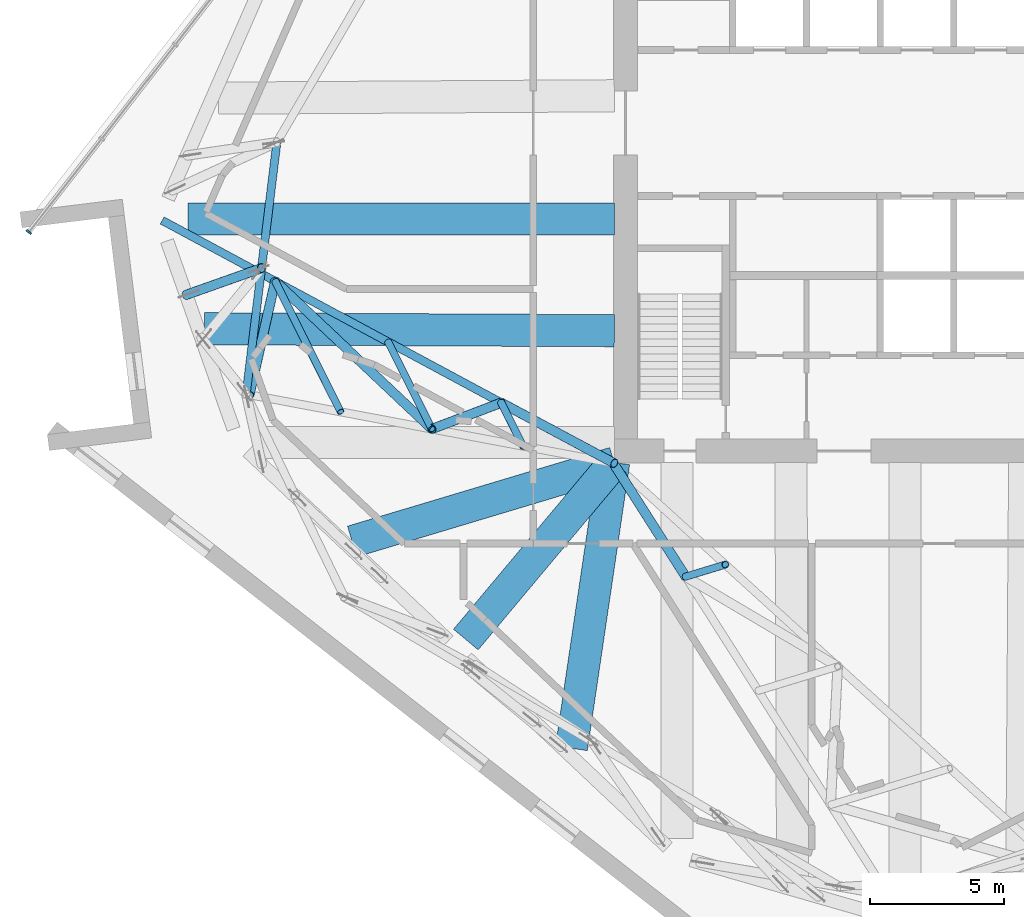
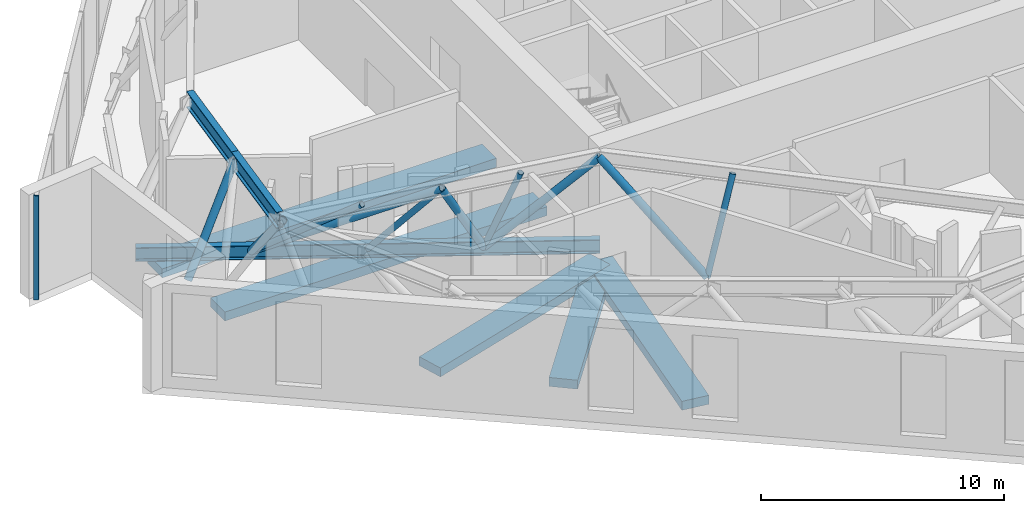
# One storey, part 2 of 23: 11 members, 8 beams, 1 element without a shape of its own.
"""IFC4 building model written with IfcOpenShell, lengths in metres."""

from ifc_helpers import new_model, si_unit, direction, frame, origin, origin_2d, place, context, subcontext, project, spatial, rectangle, hollow_circle, i_section, extrude, material, material_profile, profile_set, type_object, element, aggregate, save


model = new_model("IFC4")

# Units and contexts
model_context = context("Model", 3, precision=1e-05, world=origin(), true_north=direction((0.0, 1.0)))
body_context = subcontext(model_context, "Body", "Model", "MODEL_VIEW")
ifc_project = project(units=[si_unit("LENGTHUNIT", "METRE"), si_unit("AREAUNIT", "SQUARE_METRE"), si_unit("VOLUMEUNIT", "CUBIC_METRE"), si_unit("PLANEANGLEUNIT", "RADIAN"), si_unit("MASSUNIT", "GRAM", prefix="KILO")], contexts=[model_context])

# Site, building, storey
site_placement = place(None, origin())
site = spatial("IfcSite", under=ifc_project, at=site_placement, CompositionType="ELEMENT")
building_placement = place(site_placement, origin())
building = spatial("IfcBuilding", under=site, at=building_placement, Name="Dilmun Exchange Tower", CompositionType="ELEMENT")
storey_placement = place(building_placement, frame((0.0, 0.0, 237.300048828125)))
storey = spatial("IfcBuildingStorey", under=building, at=storey_placement, Name="L56", CompositionType="ELEMENT", Elevation=237.300048828125)

# Beams
ifc_material_1 = material(Name="Concrete C40/50", Category="concrete")
ifc_material_profile_1 = material_profile(ifc_material_1, rectangle(XDim=1.199951171875, YDim=0.449951171875, at=origin_2d()), Name="1200 x 450")
ifc_profile_set_1 = profile_set([ifc_material_profile_1], Name="Concrete C40/50")
beam_type_1 = type_object("IfcBeamType", Name="RC band beam 1200 x 450 C40/50", PredefinedType="BEAM", material=ifc_profile_set_1)
beam_1_placement = place(storey_placement, frame((-28.586669921875, -3.58203125, -0.705078125), z_axis=(1.0, 0.0, 0.0), x_axis=(0.0, 1.0, 0.0)))
element("IfcBeam", 1, at=beam_1_placement, inside=storey, type_object=beam_type_1, Name="Band beam 5", PredefinedType="BEAM", context=body_context, shape_type="SweptSolid", body=[
    extrude(rectangle(XDim=1.199951171875, YDim=0.449951171875, at=origin_2d()), origin(), (0.0, 0.0, 1.0), 15.91357421875),
])
beam_2_placement = place(storey_placement, frame((-18.2158203125, -19.28369140625, -0.705078125), z_axis=(0.642200063897, 0.766537068856, 0.0), x_axis=(-0.766537068856, 0.642200063897, 0.0)))
element("IfcBeam", 2, at=beam_2_placement, inside=storey, type_object=beam_type_1, Name="Band beam 7", PredefinedType="BEAM", context=body_context, shape_type="SweptSolid", body=[
    extrude(rectangle(XDim=1.199951171875, YDim=0.449951171875, at=origin_2d()), origin(), (0.0, 0.0, 1.0), 8.615966796875),
])
beam_3_placement = place(storey_placement, frame((-27.972412109375, -7.68212890625, -0.60498046875), z_axis=(0.99998815601, -0.004867015408, 0.0), x_axis=(0.004867015408, 0.99998815601, 0.0)))
element("IfcBeam", 3, at=beam_3_placement, inside=storey, type_object=beam_type_1, Name="Band beam 21", PredefinedType="BEAM", context=body_context, shape_type="SweptSolid", body=[
    extrude(rectangle(XDim=1.199951171875, YDim=0.449951171875, at=origin_2d()), origin(), (0.0, 0.0, 1.0), 15.299560546875),
])
beam_4_placement = place(storey_placement, frame((-22.4599609375, -15.626708984375, -0.60498046875), z_axis=(0.957849959988, 0.287268957862, 0.0), x_axis=(-0.287268957862, 0.957849959988, 0.0)))
element("IfcBeam", 4, at=beam_4_placement, inside=storey, type_object=beam_type_1, Name="Band beam 22", PredefinedType="BEAM", context=body_context, shape_type="SweptSolid", body=[
    extrude(rectangle(XDim=1.199951171875, YDim=0.449951171875, at=origin_2d()), origin(), (0.0, 0.0, 1.0), 10.21630859375),
])
beam_5_placement = place(storey_placement, frame((-14.2734375, -23.34326171875, -0.60498046875), z_axis=(0.146268101323, 0.989244986106, 0.0), x_axis=(-0.989244986106, 0.146268101323, 0.0)))
element("IfcBeam", 5, at=beam_5_placement, inside=storey, type_object=beam_type_1, Name="Band beam 23", PredefinedType="BEAM", context=body_context, shape_type="SweptSolid", body=[
    extrude(rectangle(XDim=1.199951171875, YDim=0.449951171875, at=origin_2d()), origin(), (0.0, 0.0, 1.0), 10.785888671875),
])

# Curtain wall, member
ifc_material_2 = material(Name="Anodised aluminium and clear glass", Category="aluminium")
curtain_wall_type = type_object("IfcCurtainWallType", Name="Sky lobby glazing", PredefinedType="NOTDEFINED", material=ifc_material_2)
curtain_wall_placement = place(storey_placement, origin())
curtain_wall = element("IfcCurtainWall", 6, at=curtain_wall_placement, inside=storey, type_object=curtain_wall_type, Name="Sky lobby glazing run SL4", PredefinedType="NOTDEFINED")
ifc_material_3 = material(Name="Anodised aluminium", Category="aluminium")
ifc_material_profile_2 = material_profile(ifc_material_3, rectangle(XDim=0.219970703125, YDim=0.070068359375, at=origin_2d()), Name="AL 70x220")
ifc_profile_set_2 = profile_set([ifc_material_profile_2], Name="Anodised aluminium")
member_type_1 = type_object("IfcMemberType", Name="Sky lobby glazing mullion 70 x 220", PredefinedType="MULLION", material=ifc_profile_set_2)
member_1_placement = place(storey_placement, frame((-34.526123046875, -4.07177734375, 0.0), z_axis=(0.0, 0.0, 1.0), x_axis=(0.78801066701, -0.615661586164, 0.0)))
member_1 = element("IfcMember", 7, at=member_1_placement, type_object=member_type_1, Name="SL4 mullion 12", PredefinedType="MULLION", context=body_context, shape_type="SweptSolid", body=[
    extrude(rectangle(XDim=0.219970703125, YDim=0.070068359375, at=origin_2d()), origin(), (0.0, 0.0, 1.0), 5.239990234375),
])
aggregate(curtain_wall, [member_1])

# Beam
ifc_material_4 = material(Name="Steel S355", Category="steel")
ifc_material_profile_3 = material_profile(ifc_material_4, i_section(OverallWidth=0.300048828125, OverallDepth=0.699951171875, WebThickness=0.01708984375, FlangeThickness=0.031982421875, FilletRadius=0.027099609375, at=origin_2d()), Name="HEB 700")
ifc_profile_set_3 = profile_set([ifc_material_profile_3], Name="Steel S355")
beam_type_2 = type_object("IfcBeamType", Name="outrigger chord HEB 700", PredefinedType="BEAM", material=ifc_profile_set_3)
beam_6_placement = place(storey_placement, frame((-12.67626953125, -12.712890625, 0.349853515625), z_axis=(-0.880765537018, 0.473552604049, 0.0), x_axis=(-0.473552604049, -0.880765537018, 0.0)))
element("IfcBeam", 8, at=beam_6_placement, inside=storey, type_object=beam_type_2, Name="Outrigger bottom chord 2", PredefinedType="BEAM", context=body_context, shape_type="SweptSolid", body=[
    extrude(i_section(OverallWidth=0.300048828125, OverallDepth=0.699951171875, WebThickness=0.01708984375, FlangeThickness=0.031982421875, FilletRadius=0.027099609375, at=origin_2d()), origin(), (0.0, 0.0, 1.0), 19.158935546875),
])

# Members
ifc_material_profile_4 = material_profile(ifc_material_4, hollow_circle(Radius=0.136474609375, WallThickness=0.01611328125, at=origin_2d()), Name="CHS 273x16")
ifc_profile_set_4 = profile_set([ifc_material_profile_4], Name="Steel S355")
member_type_2 = type_object("IfcMemberType", Name="outrigger post CHS 273x16", PredefinedType="POST", material=ifc_profile_set_4)
member_2_placement = place(storey_placement, frame((-16.078369140625, -12.06494140625, 4.7900390625), z_axis=(-0.170205322717, 0.337814810667, -0.925695037155), x_axis=(-0.893050504154, -0.449956439037, 0.0)))
element("IfcMember", 9, at=member_2_placement, inside=storey, type_object=member_type_2, Name="Outrigger post 2.1", PredefinedType="POST", context=body_context, shape_type="SweptSolid", body=[
    extrude(hollow_circle(Radius=0.136474609375, WallThickness=0.01611328125, at=origin_2d()), origin(), (0.0, 0.0, 1.0), 4.796630859375),
])
member_3_placement = place(storey_placement, frame((-19.483154296875, -11.425048828125, 4.7900390625), z_axis=(-0.28408935472, 0.566136431617, -0.773810557779), x_axis=(-0.893781416636, -0.448502819696, 0.0)))
element("IfcMember", 10, at=member_3_placement, inside=storey, type_object=member_type_2, Name="Outrigger post 2.2", PredefinedType="POST", context=body_context, shape_type="SweptSolid", body=[
    extrude(hollow_circle(Radius=0.136474609375, WallThickness=0.01611328125, at=origin_2d()), origin(), (0.0, 0.0, 1.0), 5.738037109375),
])
member_4_placement = place(storey_placement, frame((-22.8876953125, -10.784912109375, 4.7900390625), z_axis=(-0.347528336912, 0.69332111481, -0.631292235658), x_axis=(-0.893979171642, -0.448108514392, 0.0)))
element("IfcMember", 11, at=member_4_placement, inside=storey, type_object=member_type_2, Name="Outrigger post 2.3", PredefinedType="POST", context=body_context, shape_type="SweptSolid", body=[
    extrude(hollow_circle(Radius=0.136474609375, WallThickness=0.01611328125, at=origin_2d()), origin(), (0.0, 0.0, 1.0), 7.033447265625),
])
member_5_placement = place(storey_placement, frame((-8.52783203125, -16.486083984375, 4.7900390625), z_axis=(-0.314898116073, -0.095793408764, -0.944278983845), x_axis=(0.291036073761, -0.95671207987, 0.0)))
element("IfcMember", 12, at=member_5_placement, inside=storey, type_object=member_type_2, Name="Outrigger post 3.1", PredefinedType="POST", context=body_context, shape_type="SweptSolid", body=[
    extrude(hollow_circle(Radius=0.136474609375, WallThickness=0.01611328125, at=origin_2d()), origin(), (0.0, 0.0, 1.0), 4.7021484375),
])

# Beams
ifc_material_profile_5 = material_profile(ifc_material_4, i_section(OverallWidth=0.302978515625, OverallDepth=0.81396484375, WebThickness=0.02099609375, FlangeThickness=0.0400390625, FilletRadius=0.030029296875, at=origin_2d()), Name="HEM 800")
ifc_profile_set_5 = profile_set([ifc_material_profile_5], Name="Steel S355")
beam_type_3 = type_object("IfcBeamType", Name="transfer chord HEM 800", PredefinedType="BEAM", material=ifc_profile_set_5)
beam_7_placement = place(storey_placement, frame((-25.26806640625, -0.721923828125, 4.8330078125), z_axis=(-0.121115092903, -0.992638471082, 0.0), x_axis=(0.992638471082, -0.121115092903, 0.0)))
element("IfcBeam", 13, at=beam_7_placement, inside=storey, type_object=beam_type_3, Name="Transfer chord 7", PredefinedType="BEAM", context=body_context, shape_type="SweptSolid", body=[
    extrude(i_section(OverallWidth=0.302978515625, OverallDepth=0.81396484375, WebThickness=0.02099609375, FlangeThickness=0.0400390625, FilletRadius=0.030029296875, at=origin_2d()), origin(), (0.0, 0.0, 1.0), 4.735107421875),
])
beam_8_placement = place(storey_placement, frame((-25.841552734375, -5.422119140625, 4.8330078125), z_axis=(-0.121121291975, -0.992637714693, 0.0), x_axis=(0.992637714693, -0.121121291975, 0.0)))
element("IfcBeam", 14, at=beam_8_placement, inside=storey, type_object=beam_type_3, Name="Transfer chord 8", PredefinedType="BEAM", context=body_context, shape_type="SweptSolid", body=[
    extrude(i_section(OverallWidth=0.302978515625, OverallDepth=0.81396484375, WebThickness=0.02099609375, FlangeThickness=0.0400390625, FilletRadius=0.030029296875, at=origin_2d()), origin(), (0.0, 0.0, 1.0), 4.73486328125),
])

# Members
ifc_material_profile_6 = material_profile(ifc_material_4, hollow_circle(Radius=0.177734375, WallThickness=0.02001953125, at=origin_2d()), Name="CHS 355.6x20")
ifc_profile_set_6 = profile_set([ifc_material_profile_6], Name="Steel S355")
member_type_3 = type_object("IfcMemberType", Name="truss diagonal CHS 355.6x20", PredefinedType="BRACE", material=ifc_profile_set_6)
member_6_placement = place(storey_placement, frame((-25.841552734375, -5.422119140625, 4.8330078125), z_axis=(-0.522535668795, -0.184800305489, -0.832349278806), x_axis=(0.333423219748, -0.942777257115, 0.0)))
element("IfcMember", 15, at=member_6_placement, inside=storey, type_object=member_type_3, Name="Truss diagonal 15", PredefinedType="BRACE", context=body_context, shape_type="SweptSolid", body=[
    extrude(hollow_circle(Radius=0.177734375, WallThickness=0.02001953125, at=origin_2d()), origin(), (0.0, 0.0, 1.0), 5.38623046875),
])
member_7_placement = place(storey_placement, frame((-12.673583984375, -12.705078125, 4.7900390625), z_axis=(-0.646410405586, 0.346160436398, -0.679945983019), x_axis=(-0.472082748017, -0.881554240546, 0.0)))
element("IfcMember", 16, at=member_7_placement, inside=storey, type_object=member_type_3, Name="Outrigger diagonal 2.0", PredefinedType="BRACE", context=body_context, shape_type="SweptSolid", body=[
    extrude(hollow_circle(Radius=0.177734375, WallThickness=0.02001953125, at=origin_2d()), origin(), (0.0, 0.0, 1.0), 6.5302734375),
])
member_8_placement = place(storey_placement, frame((-19.483154296875, -11.425048828125, 4.7900390625), z_axis=(0.494698619174, 0.187390082494, -0.848621372091), x_axis=(-0.354234075139, 0.935156788999, 0.0)))
element("IfcMember", 17, at=member_8_placement, inside=storey, type_object=member_type_3, Name="Outrigger diagonal 2.1", PredefinedType="BRACE", context=body_context, shape_type="SweptSolid", body=[
    extrude(hollow_circle(Radius=0.177734375, WallThickness=0.02001953125, at=origin_2d()), origin(), (0.0, 0.0, 1.0), 5.232177734375),
])
member_9_placement = place(storey_placement, frame((-19.483154296875, -11.425048828125, 4.7900390625), z_axis=(-0.636811106424, 0.600633792243, -0.483436306405), x_axis=(-0.686140999814, -0.727468575524, 0.0)))
element("IfcMember", 18, at=member_9_placement, inside=storey, type_object=member_type_3, Name="Outrigger diagonal 2.2", PredefinedType="BRACE", context=body_context, shape_type="SweptSolid", body=[
    extrude(hollow_circle(Radius=0.177734375, WallThickness=0.02001953125, at=origin_2d()), origin(), (0.0, 0.0, 1.0), 9.1845703125),
])
member_10_placement = place(storey_placement, frame((-26.29248046875, -10.14501953125, 4.7900390625), z_axis=(0.154617302743, 0.682021874556, -0.714800428315), x_axis=(-0.975252512674, 0.221093954063, 0.0)))
element("IfcMember", 19, at=member_10_placement, inside=storey, type_object=member_type_3, Name="Outrigger diagonal 2.3", PredefinedType="BRACE", context=body_context, shape_type="SweptSolid", body=[
    extrude(hollow_circle(Radius=0.177734375, WallThickness=0.02001953125, at=origin_2d()), origin(), (0.0, 0.0, 1.0), 6.211669921875),
])
member_11_placement = place(storey_placement, frame((-12.719970703125, -12.681884765625, 4.7900390625), z_axis=(0.403438509052, -0.633056266636, -0.660664160286), x_axis=(0.843308621258, 0.537429594749, 0.0)))
element("IfcMember", 20, at=member_11_placement, inside=storey, type_object=member_type_3, Name="Outrigger diagonal 3.0", PredefinedType="BRACE", context=body_context, shape_type="SweptSolid", body=[
    extrude(hollow_circle(Radius=0.177734375, WallThickness=0.02001953125, at=origin_2d()), origin(), (0.0, 0.0, 1.0), 6.720703125),
])

save(model, "model.ifc")
